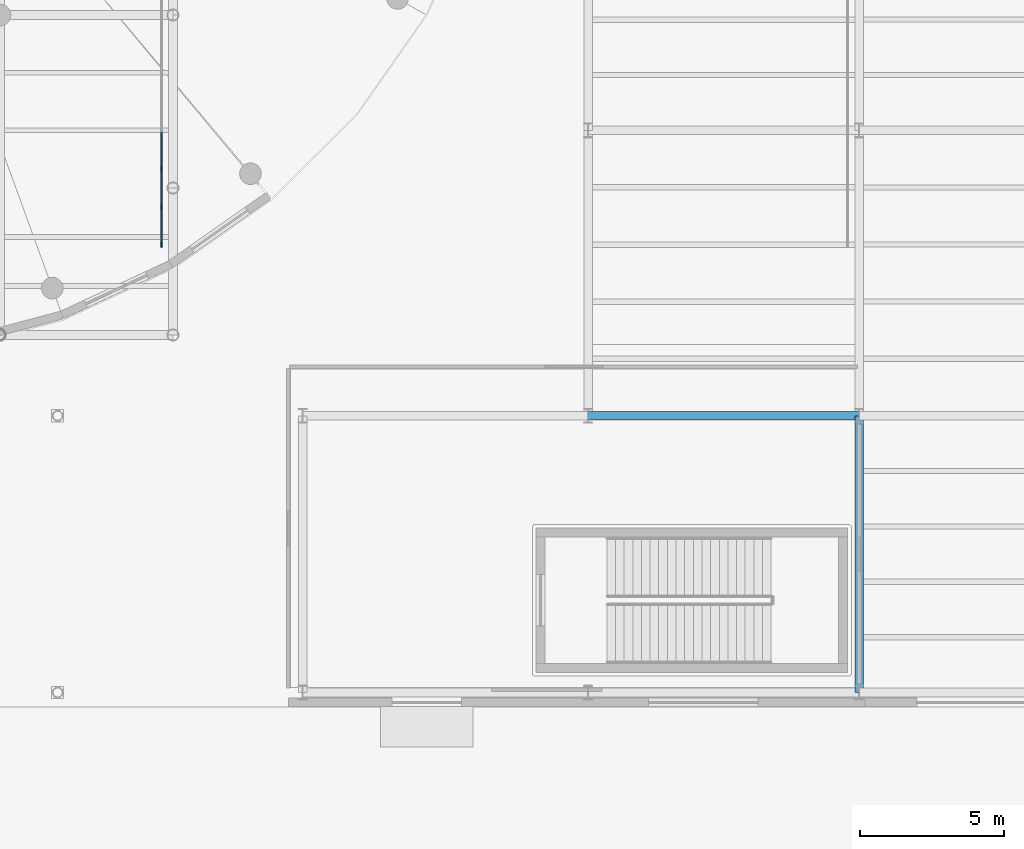
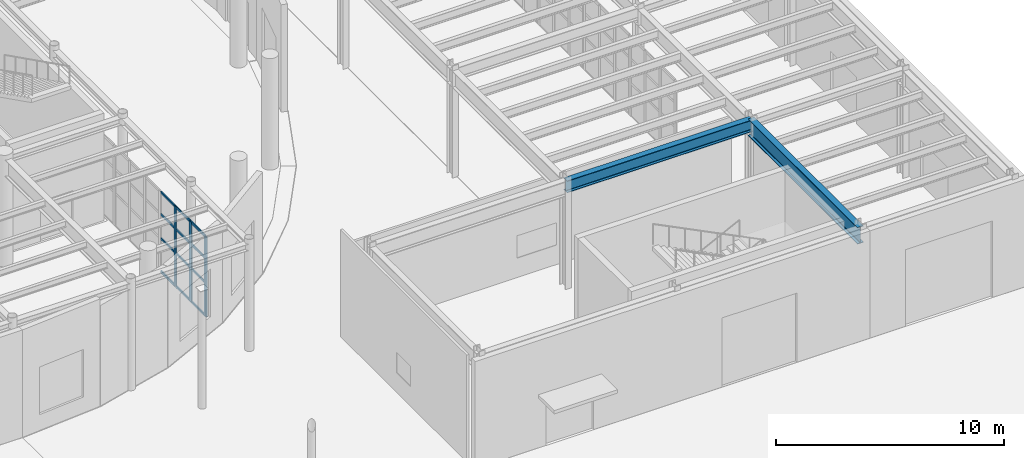
# One storey, part 35 of 118: 15 members, 2 beams, 1 element without a shape of its own.
"""IFC4 building model written with IfcOpenShell, lengths in metres."""

from ifc_helpers import new_model, si_unit, direction, frame, origin, origin_2d, place, context, subcontext, project, spatial, rectangle, i_section, extrude, material, material_profile, profile_set, type_object, element, aggregate, save


model = new_model("IFC4")

# Units and contexts
model_context = context("Model", 3, precision=1e-05, world=origin(), true_north=direction((0.0, 1.0)))
body_context = subcontext(model_context, "Body", "Model", "MODEL_VIEW")
ifc_project = project(units=[si_unit("LENGTHUNIT", "METRE"), si_unit("AREAUNIT", "SQUARE_METRE"), si_unit("VOLUMEUNIT", "CUBIC_METRE"), si_unit("PLANEANGLEUNIT", "RADIAN"), si_unit("MASSUNIT", "GRAM", prefix="KILO")], contexts=[model_context])

# Site, building, storey
site_placement = place(None, origin())
site = spatial("IfcSite", under=ifc_project, at=site_placement, CompositionType="ELEMENT")
building_placement = place(site_placement, origin())
building = spatial("IfcBuilding", under=site, at=building_placement, Name="Kolvaren Corner Interchange", CompositionType="ELEMENT")
storey_placement = place(building_placement, origin())
storey = spatial("IfcBuildingStorey", under=building, at=storey_placement, Name="L01", CompositionType="ELEMENT", Elevation=0.0)

# Beams
ifc_material_1 = material(Name="Steel S355", Category="steel")
ifc_material_profile_1 = material_profile(ifc_material_1, i_section(OverallWidth=0.300048828125, OverallDepth=0.639892578125, WebThickness=0.013427734375, FlangeThickness=0.02587890625, FilletRadius=0.027099609375, at=origin_2d()), Name="HEA 650")
ifc_profile_set_1 = profile_set([ifc_material_profile_1], Name="Steel S355")
beam_type_1 = type_object("IfcBeamType", Name="BM-HEA650", PredefinedType="BEAM", material=ifc_profile_set_1)
beam_1_placement = place(storey_placement, frame((146.39990234375, 22.10009765625, 5.419921875), z_axis=(1.0, 0.0, 0.0), x_axis=(0.0, 1.0, 0.0)))
element("IfcBeam", 1, at=beam_1_placement, inside=storey, type_object=beam_type_1, Name="Storey L01 Grid X Primary Girder 0390", PredefinedType="BEAM", context=body_context, shape_type="SweptSolid", body=[
    extrude(i_section(OverallWidth=0.300048828125, OverallDepth=0.639892578125, WebThickness=0.013427734375, FlangeThickness=0.02587890625, FilletRadius=0.027099609375, at=origin_2d()), origin(), (0.0, 0.0, 1.0), 9.400146484375),
])
ifc_material_2 = material(Name="Steel S355", Category="steel")
ifc_material_profile_2 = material_profile(ifc_material_2, i_section(OverallWidth=0.300048828125, OverallDepth=0.89990234375, WebThickness=0.0185546875, FlangeThickness=0.034912109375, FilletRadius=0.030029296875, at=origin_2d()), Name="HEB 900")
ifc_profile_set_2 = profile_set([ifc_material_profile_2], Name="Steel S355")
beam_type_2 = type_object("IfcBeamType", Name="BM-HEB900", PredefinedType="BEAM", material=ifc_profile_set_2)
beam_2_placement = place(storey_placement, frame((155.800048828125, 12.5, 5.2900390625), z_axis=(0.0, 1.0, 0.0), x_axis=(-1.0, 0.0, 0.0)))
element("IfcBeam", 2, at=beam_2_placement, inside=storey, type_object=beam_type_2, Name="Storey L01 Grid Y Primary Girder 0531", PredefinedType="BEAM", context=body_context, shape_type="SweptSolid", body=[
    extrude(i_section(OverallWidth=0.300048828125, OverallDepth=0.89990234375, WebThickness=0.0185546875, FlangeThickness=0.034912109375, FilletRadius=0.030029296875, at=origin_2d()), origin(), (0.0, 0.0, 1.0), 9.60009765625),
])

# Curtain wall, members
ifc_material_3 = material(Name="Unitised Aluminium and Solar-Control Glass Curtain Wall", Category="aluminium")
curtain_wall_type = type_object("IfcCurtainWallType", Name="CW-V4-BOARD", PredefinedType="NOTDEFINED", material=ifc_material_3)
curtain_wall_placement = place(storey_placement, origin())
curtain_wall = element("IfcCurtainWall", 3, at=curtain_wall_placement, inside=storey, type_object=curtain_wall_type, Name="Bus Island West Boarding Curtain Wall Bay 01", PredefinedType="NOTDEFINED")
ifc_material_4 = material(Name="Anodised Aluminium Framing", Category="aluminium")
ifc_material_profile_3 = material_profile(ifc_material_4, rectangle(XDim=0.06005859375, YDim=0.179931640625, at=origin_2d()), Name="ALU 60x180")
ifc_profile_set_3 = profile_set([ifc_material_profile_3], Name="Anodised Aluminium Framing")
member_type_1 = type_object("IfcMemberType", Name="MUL-ALU60x180", PredefinedType="MULLION", material=ifc_profile_set_3)
member_1_placement = place(storey_placement, frame((131.60009765625, 28.030029296875, 0.0), z_axis=(0.0, 0.0, 1.0), x_axis=(-1.0, 0.0, 0.0)))
member_1 = element("IfcMember", 4, at=member_1_placement, type_object=member_type_1, Name="CW-126 mullion 1", PredefinedType="MULLION", context=body_context, shape_type="SweptSolid", body=[
    extrude(rectangle(XDim=0.06005859375, YDim=0.179931640625, at=origin_2d()), origin(), (0.0, 0.0, 1.0), 4.300048828125),
])
member_2_placement = place(storey_placement, frame((131.60009765625, 29.333251953125, 0.0), z_axis=(0.0, 0.0, 1.0), x_axis=(-1.0, 0.0, 0.0)))
member_2 = element("IfcMember", 5, at=member_2_placement, type_object=member_type_1, Name="CW-126 mullion 2", PredefinedType="MULLION", context=body_context, shape_type="SweptSolid", body=[
    extrude(rectangle(XDim=0.06005859375, YDim=0.179931640625, at=origin_2d()), origin(), (0.0, 0.0, 1.0), 4.300048828125),
])
member_3_placement = place(storey_placement, frame((131.60009765625, 30.666748046875, 0.0), z_axis=(0.0, 0.0, 1.0), x_axis=(-1.0, 0.0, 0.0)))
member_3 = element("IfcMember", 6, at=member_3_placement, type_object=member_type_1, Name="CW-126 mullion 3", PredefinedType="MULLION", context=body_context, shape_type="SweptSolid", body=[
    extrude(rectangle(XDim=0.06005859375, YDim=0.179931640625, at=origin_2d()), origin(), (0.0, 0.0, 1.0), 4.300048828125),
])
ifc_material_5 = material(Name="Anodised Aluminium Framing", Category="aluminium")
ifc_material_profile_4 = material_profile(ifc_material_5, rectangle(XDim=0.054931640625, YDim=0.1201171875, at=origin_2d()), Name="ALU 55x120")
ifc_profile_set_4 = profile_set([ifc_material_profile_4], Name="Anodised Aluminium Framing")
member_type_2 = type_object("IfcMemberType", Name="TRN-ALU55x120", PredefinedType="USERDEFINED", material=ifc_profile_set_4)
member_4_placement = place(storey_placement, frame((131.60009765625, 28.06005859375, 0.027587890625), z_axis=(0.0, 1.0, 0.0), x_axis=(-1.0, 0.0, 0.0)))
member_4 = element("IfcMember", 7, at=member_4_placement, type_object=member_type_2, Name="CW-126 transom 1.1", ObjectType="TRANSOM", PredefinedType="USERDEFINED", context=body_context, shape_type="SweptSolid", body=[
    extrude(rectangle(XDim=0.054931640625, YDim=0.1201171875, at=origin_2d()), origin(), (0.0, 0.0, 1.0), 1.2431640625),
])
member_5_placement = place(storey_placement, frame((131.60009765625, 28.06005859375, 1.800048828125), z_axis=(0.0, 1.0, 0.0), x_axis=(-1.0, 0.0, 0.0)))
member_5 = element("IfcMember", 8, at=member_5_placement, type_object=member_type_2, Name="CW-126 transom 1.2", ObjectType="TRANSOM", PredefinedType="USERDEFINED", context=body_context, shape_type="SweptSolid", body=[
    extrude(rectangle(XDim=0.054931640625, YDim=0.1201171875, at=origin_2d()), origin(), (0.0, 0.0, 1.0), 1.2431640625),
])
member_6_placement = place(storey_placement, frame((131.60009765625, 28.06005859375, 3.10009765625), z_axis=(0.0, 1.0, 0.0), x_axis=(-1.0, 0.0, 0.0)))
member_6 = element("IfcMember", 9, at=member_6_placement, type_object=member_type_2, Name="CW-126 transom 1.3", ObjectType="TRANSOM", PredefinedType="USERDEFINED", context=body_context, shape_type="SweptSolid", body=[
    extrude(rectangle(XDim=0.054931640625, YDim=0.1201171875, at=origin_2d()), origin(), (0.0, 0.0, 1.0), 1.2431640625),
])
member_7_placement = place(storey_placement, frame((131.60009765625, 28.06005859375, 4.2724609375), z_axis=(0.0, 1.0, 0.0), x_axis=(-1.0, 0.0, 0.0)))
member_7 = element("IfcMember", 10, at=member_7_placement, type_object=member_type_2, Name="CW-126 transom 1.4", ObjectType="TRANSOM", PredefinedType="USERDEFINED", context=body_context, shape_type="SweptSolid", body=[
    extrude(rectangle(XDim=0.054931640625, YDim=0.1201171875, at=origin_2d()), origin(), (0.0, 0.0, 1.0), 1.2431640625),
])
member_8_placement = place(storey_placement, frame((131.60009765625, 29.36328125, 0.027587890625), z_axis=(0.0, 1.0, 0.0), x_axis=(-1.0, 0.0, 0.0)))
member_8 = element("IfcMember", 11, at=member_8_placement, type_object=member_type_2, Name="CW-126 transom 2.1", ObjectType="TRANSOM", PredefinedType="USERDEFINED", context=body_context, shape_type="SweptSolid", body=[
    extrude(rectangle(XDim=0.054931640625, YDim=0.1201171875, at=origin_2d()), origin(), (0.0, 0.0, 1.0), 1.2734375),
])
member_9_placement = place(storey_placement, frame((131.60009765625, 29.36328125, 1.800048828125), z_axis=(0.0, 1.0, 0.0), x_axis=(-1.0, 0.0, 0.0)))
member_9 = element("IfcMember", 12, at=member_9_placement, type_object=member_type_2, Name="CW-126 transom 2.2", ObjectType="TRANSOM", PredefinedType="USERDEFINED", context=body_context, shape_type="SweptSolid", body=[
    extrude(rectangle(XDim=0.054931640625, YDim=0.1201171875, at=origin_2d()), origin(), (0.0, 0.0, 1.0), 1.2734375),
])
member_10_placement = place(storey_placement, frame((131.60009765625, 29.36328125, 3.10009765625), z_axis=(0.0, 1.0, 0.0), x_axis=(-1.0, 0.0, 0.0)))
member_10 = element("IfcMember", 13, at=member_10_placement, type_object=member_type_2, Name="CW-126 transom 2.3", ObjectType="TRANSOM", PredefinedType="USERDEFINED", context=body_context, shape_type="SweptSolid", body=[
    extrude(rectangle(XDim=0.054931640625, YDim=0.1201171875, at=origin_2d()), origin(), (0.0, 0.0, 1.0), 1.2734375),
])
member_11_placement = place(storey_placement, frame((131.60009765625, 29.36328125, 4.2724609375), z_axis=(0.0, 1.0, 0.0), x_axis=(-1.0, 0.0, 0.0)))
member_11 = element("IfcMember", 14, at=member_11_placement, type_object=member_type_2, Name="CW-126 transom 2.4", ObjectType="TRANSOM", PredefinedType="USERDEFINED", context=body_context, shape_type="SweptSolid", body=[
    extrude(rectangle(XDim=0.054931640625, YDim=0.1201171875, at=origin_2d()), origin(), (0.0, 0.0, 1.0), 1.2734375),
])
member_12_placement = place(storey_placement, frame((131.60009765625, 30.69677734375, 0.027587890625), z_axis=(0.0, 1.0, 0.0), x_axis=(-1.0, 0.0, 0.0)))
member_12 = element("IfcMember", 15, at=member_12_placement, type_object=member_type_2, Name="CW-126 transom 3.1", ObjectType="TRANSOM", PredefinedType="USERDEFINED", context=body_context, shape_type="SweptSolid", body=[
    extrude(rectangle(XDim=0.054931640625, YDim=0.1201171875, at=origin_2d()), origin(), (0.0, 0.0, 1.0), 1.2431640625),
])
member_13_placement = place(storey_placement, frame((131.60009765625, 30.69677734375, 1.800048828125), z_axis=(0.0, 1.0, 0.0), x_axis=(-1.0, 0.0, 0.0)))
member_13 = element("IfcMember", 16, at=member_13_placement, type_object=member_type_2, Name="CW-126 transom 3.2", ObjectType="TRANSOM", PredefinedType="USERDEFINED", context=body_context, shape_type="SweptSolid", body=[
    extrude(rectangle(XDim=0.054931640625, YDim=0.1201171875, at=origin_2d()), origin(), (0.0, 0.0, 1.0), 1.2431640625),
])
member_14_placement = place(storey_placement, frame((131.60009765625, 30.69677734375, 3.10009765625), z_axis=(0.0, 1.0, 0.0), x_axis=(-1.0, 0.0, 0.0)))
member_14 = element("IfcMember", 17, at=member_14_placement, type_object=member_type_2, Name="CW-126 transom 3.3", ObjectType="TRANSOM", PredefinedType="USERDEFINED", context=body_context, shape_type="SweptSolid", body=[
    extrude(rectangle(XDim=0.054931640625, YDim=0.1201171875, at=origin_2d()), origin(), (0.0, 0.0, 1.0), 1.2431640625),
])
member_15_placement = place(storey_placement, frame((131.60009765625, 30.69677734375, 4.2724609375), z_axis=(0.0, 1.0, 0.0), x_axis=(-1.0, 0.0, 0.0)))
member_15 = element("IfcMember", 18, at=member_15_placement, type_object=member_type_2, Name="CW-126 transom 3.4", ObjectType="TRANSOM", PredefinedType="USERDEFINED", context=body_context, shape_type="SweptSolid", body=[
    extrude(rectangle(XDim=0.054931640625, YDim=0.1201171875, at=origin_2d()), origin(), (0.0, 0.0, 1.0), 1.2431640625),
])
aggregate(curtain_wall, [member_1, member_2, member_3, member_4, member_5, member_6, member_7, member_8, member_9, member_10, member_11, member_12, member_13, member_14, member_15])

save(model, "model.ifc")
